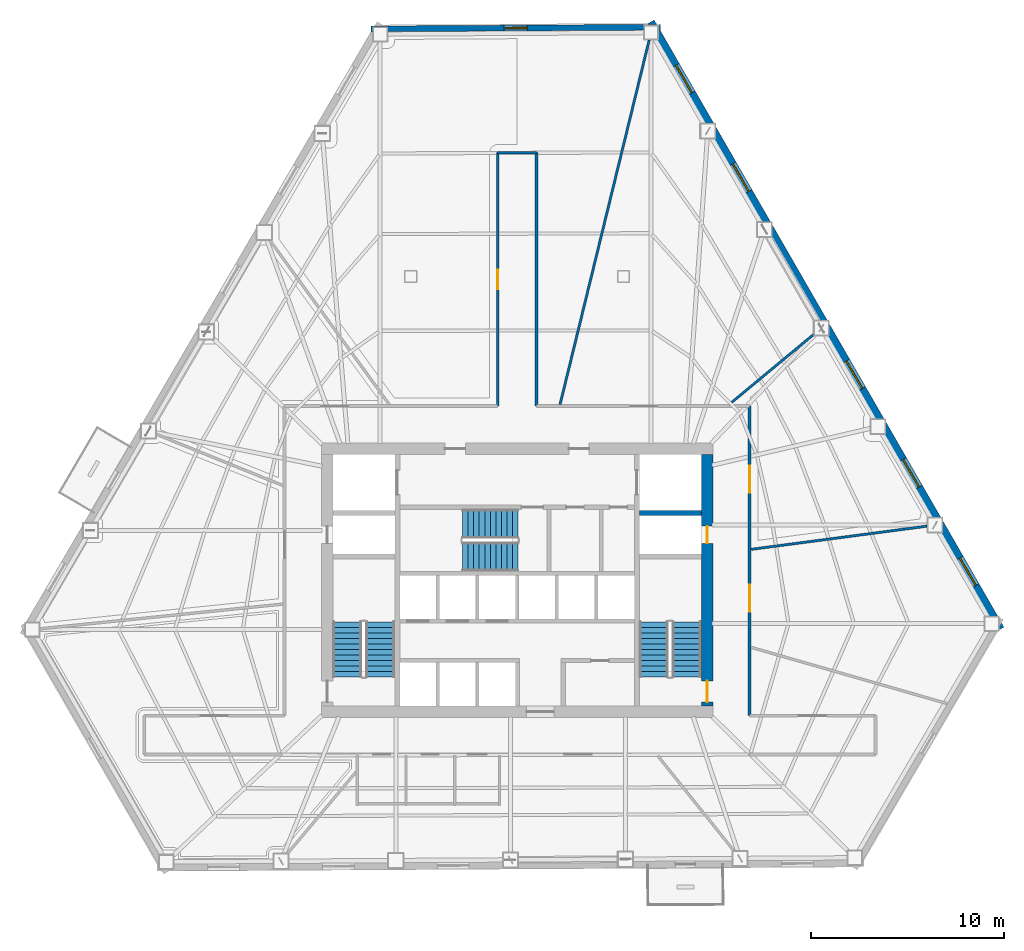
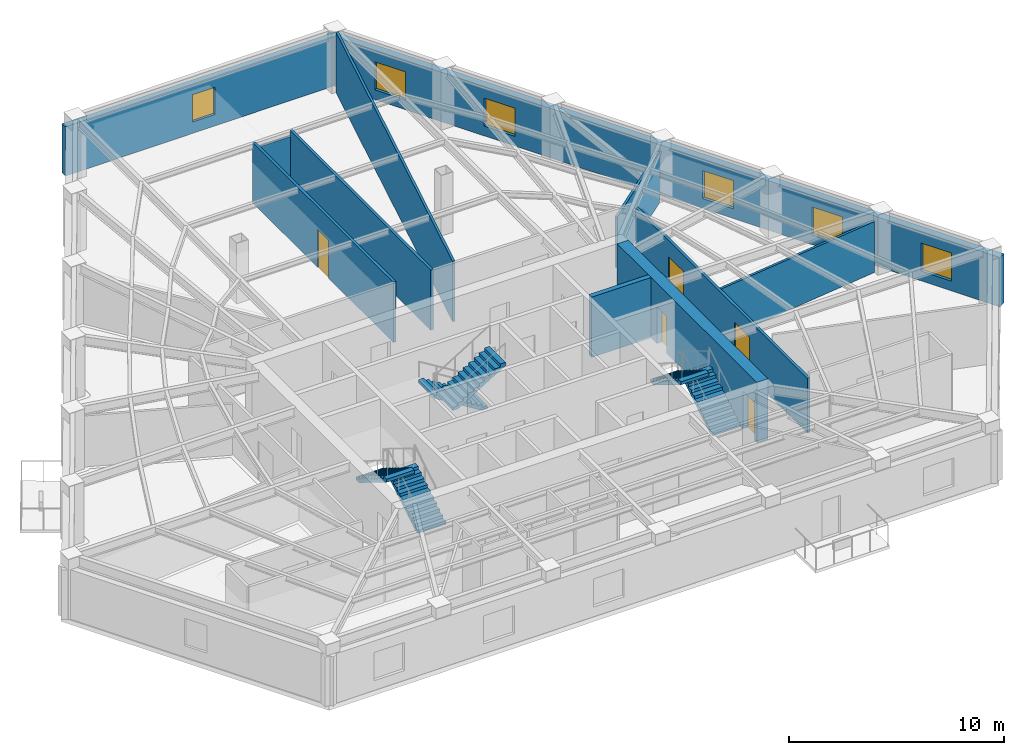
# One storey, part 10 of 14: 11 walls, 6 stair flights, 6 windows, 5 doors, 11 openings, 3 elements without a shape of their own.
"""IFC4 building model written with IfcOpenShell, lengths in metres."""

from ifc_helpers import new_model, si_unit, direction, frame, frame_2d, origin, place, context, subcontext, project, spatial, polyline, rectangle, outline, extrude, material, layer, layer_set, type_object, element, fill, aggregate, save


model = new_model("IFC4")

# Units and contexts
model_context = context("Model", 3, precision=1e-05, world=origin(), true_north=direction((0.0, 1.0)))
body_context = subcontext(model_context, "Body", "Model", "MODEL_VIEW")
ifc_project = project(units=[si_unit("LENGTHUNIT", "METRE"), si_unit("AREAUNIT", "SQUARE_METRE"), si_unit("VOLUMEUNIT", "CUBIC_METRE"), si_unit("PLANEANGLEUNIT", "RADIAN"), si_unit("MASSUNIT", "GRAM", prefix="KILO")], contexts=[model_context])

# Site, building, storey
site_placement = place(None, origin())
site = spatial("IfcSite", under=ifc_project, at=site_placement, CompositionType="ELEMENT")
building_placement = place(site_placement, origin())
building = spatial("IfcBuilding", under=site, at=building_placement, Name="Kavelnor Concourse Tower", CompositionType="ELEMENT")
storey_placement = place(building_placement, frame((0.0, 0.0, 71.449951171875)))
storey = spatial("IfcBuildingStorey", under=building, at=storey_placement, Name="L18", CompositionType="ELEMENT", Elevation=71.449951171875)

# Wall, openings, doors
ifc_material_1 = material(Name="Concrete C60/75", Category="concrete")
ifc_layer_1 = layer(ifc_material_1, 0.60009765625, Name="Concrete C60/75")
ifc_layer_set_1 = layer_set([ifc_layer_1], Name="Concrete C60/75")
wall_type_1 = type_object("IfcWallType", Name="WL-CORE-Z1-600", PredefinedType="SOLIDWALL", material=ifc_layer_set_1)
wall_1_placement = place(storey_placement, frame((47.820068359375, 9.60009765625, 0.0), z_axis=(0.0, 0.0, 1.0), x_axis=(0.0, 1.0, 0.0)))
wall_1 = element("IfcWall", 1, at=wall_1_placement, inside=storey, type_object=wall_type_1, Name="L18 Central Core East Shear Wall", PredefinedType="SOLIDWALL", context=body_context, shape_type="SweptSolid", body=[
    extrude(rectangle(XDim=13.0, YDim=0.60009765625, at=frame_2d((6.5, 0.0))), origin(), (0.0, 0.0, 1.0), 3.429931640625),
])
opening_1_placement = place(wall_1_placement, frame((0.199951171875, 0.0, 0.0)))
opening_1 = element("IfcOpeningElement", 2, at=opening_1_placement, cuts=wall_1, Name="Opening FD-110", PredefinedType="OPENING", context=body_context, shape_type="SweptSolid", body=[
    extrude(rectangle(XDim=1.10009765625, YDim=2.14990234375, at=frame_2d((0.550048828125, 1.074951171875))), frame((0.0, 0.31005859375, 0.0), z_axis=(0.0, -1.0, 0.0), x_axis=(1.0, 0.0, 0.0)), (0.0, 0.0, 1.0), 0.6201171875),
])
opening_2_placement = place(wall_1_placement, frame((8.39990234375, 0.0, 0.0)))
opening_2 = element("IfcOpeningElement", 3, at=opening_2_placement, cuts=wall_1, Name="Opening FD-090", PredefinedType="OPENING", context=body_context, shape_type="SweptSolid", body=[
    extrude(rectangle(XDim=0.89990234375, YDim=2.10009765625, at=frame_2d((0.449951171875, 1.050048828125))), frame((0.0, 0.31005859375, 0.0), z_axis=(0.0, -1.0, 0.0), x_axis=(1.0, 0.0, 0.0)), (0.0, 0.0, 1.0), 0.6201171875),
])
ifc_material_2 = material(Name="Steel Grade 350", Category="steel")
door_type_1 = type_object("IfcDoorType", Name="DR-RISER-FIRE-900", OperationType="NOTDEFINED", PredefinedType="DOOR", material=ifc_material_2)
door_1_placement = place(opening_2_placement, origin())
door_1 = element("IfcDoor", 4, at=door_1_placement, inside=storey, type_object=door_type_1, Name="L18 East Riser Access Door", OperationType="SINGLE_SWING_LEFT", OverallHeight=2.10009765625, OverallWidth=0.89990234375, PredefinedType="DOOR", context=body_context, shape_type="SweptSolid", body=[
    extrude(rectangle(XDim=0.89990234375, YDim=2.10009765625, at=frame_2d((0.449951171875, 1.050048828125))), frame((0.0, 0.02490234375, 0.0), z_axis=(0.0, -1.0, 0.0), x_axis=(1.0, 0.0, 0.0)), (0.0, 0.0, 1.0), 0.050048828125),
])
fill(opening_2, door_1)
door_type_2 = type_object("IfcDoorType", Name="DR-STAIR-FIRE-1100", OperationType="NOTDEFINED", PredefinedType="DOOR", material=ifc_material_2)
door_2_placement = place(opening_1_placement, origin())
door_2 = element("IfcDoor", 5, at=door_2_placement, inside=storey, type_object=door_type_2, Name="L18 Stair ST2 Fire Door", OperationType="SINGLE_SWING_RIGHT", OverallHeight=2.14990234375, OverallWidth=1.10009765625, PredefinedType="DOOR", context=body_context, shape_type="SweptSolid", body=[
    extrude(rectangle(XDim=1.10009765625, YDim=2.14990234375, at=frame_2d((0.550048828125, 1.074951171875))), frame((0.0, 0.02490234375, 0.0), z_axis=(0.0, -1.0, 0.0), x_axis=(1.0, 0.0, 0.0)), (0.0, 0.0, 1.0), 0.050048828125),
])
fill(opening_1, door_2)

# Wall, opening, window
ifc_material_3 = material(Name="Buff ironspot clay face brick masonry", Category="masonry")
ifc_layer_2 = layer(ifc_material_3, 0.300048828125, Name="Buff ironspot clay face brick masonry")
ifc_layer_set_2 = layer_set([ifc_layer_2], Name="Buff ironspot clay face brick masonry")
wall_type_2 = type_object("IfcWallType", Name="WL-EXT-BUFF-BRICK-FOLD-300", PredefinedType="STANDARD", material=ifc_layer_set_2)
wall_2_placement = place(storey_placement, frame((30.451416015625, 44.5947265625, 0.0), z_axis=(0.0, 0.0, 1.0), x_axis=(0.999982137203, 0.005977062405, 0.0)))
wall_2 = element("IfcWall", 6, at=wall_2_placement, inside=storey, type_object=wall_type_2, Name="L18 Exterior Brick Facade Wall E0", PredefinedType="STANDARD", context=body_context, shape_type="SweptSolid", body=[
    extrude(rectangle(XDim=14.94970703125, YDim=0.300048828125, at=frame_2d((7.474853515625, 0.0))), origin(), (0.0, 0.0, 1.0), 2.81005859375),
])
opening_3_placement = place(wall_2_placement, frame((6.875, 0.0, 0.64990234375)))
opening_3 = element("IfcOpeningElement", 7, at=opening_3_placement, cuts=wall_2, Name="Opening W-05", PredefinedType="OPENING", context=body_context, shape_type="SweptSolid", body=[
    extrude(rectangle(XDim=1.199951171875, YDim=1.550048828125, at=frame_2d((0.60009765625, 0.77490234375))), frame((0.0, 0.16015625, 0.0), z_axis=(0.0, -1.0, 0.0), x_axis=(1.0, 0.0, 0.0)), (0.0, 0.0, 1.0), 0.320068359375),
])
ifc_material_4 = material(Name="Double low-E argon insulated glazing", Category="glass")
window_type_1 = type_object("IfcWindowType", Name="WIN-FOLD-1200", PartitioningType="SINGLE_PANEL", PredefinedType="WINDOW", material=ifc_material_4)
window_1_placement = place(opening_3_placement, origin())
window_1 = element("IfcWindow", 8, at=window_1_placement, inside=storey, type_object=window_type_1, Name="L18 Chamfer-Fold Facet Window C0", OverallHeight=1.550048828125, OverallWidth=1.199951171875, PartitioningType="SINGLE_PANEL", PredefinedType="WINDOW", context=body_context, shape_type="SweptSolid", body=[
    extrude(rectangle(XDim=1.199951171875, YDim=1.550048828125, at=frame_2d((0.60009765625, 0.77490234375))), frame((0.0, 0.030029296875, 0.0), z_axis=(0.0, -1.0, 0.0), x_axis=(1.0, 0.0, 0.0)), (0.0, 0.0, 1.0), 0.06005859375),
])
fill(opening_3, window_1)

# Wall, openings, windows
ifc_material_5 = material(Name="Red-ochre clay face brick masonry", Category="masonry")
ifc_layer_3 = layer(ifc_material_5, 0.3798828125, Name="Red-ochre clay face brick masonry")
ifc_layer_set_3 = layer_set([ifc_layer_3], Name="Red-ochre clay face brick masonry")
wall_type_3 = type_object("IfcWallType", Name="WL-EXT-RED-BRICK-PIER-380", PredefinedType="STANDARD", material=ifc_layer_set_3)
wall_3_placement = place(storey_placement, frame((44.91796875, 44.961181640625, 0.0), z_axis=(0.0, 0.0, 1.0), x_axis=(0.499266462474, -0.866448497863, 0.0)))
wall_3 = element("IfcWall", 9, at=wall_3_placement, inside=storey, type_object=wall_type_3, Name="L18 Exterior Brick Facade Wall E5", PredefinedType="STANDARD", context=body_context, shape_type="SweptSolid", body=[
    extrude(rectangle(XDim=36.220703125, YDim=0.3798828125, at=frame_2d((18.1103515625, 0.0))), origin(), (0.0, 0.0, 1.0), 2.81005859375),
])
opening_4_placement = place(wall_3_placement, frame((31.978515625, 0.0, 0.550048828125)))
opening_4 = element("IfcOpeningElement", 10, at=opening_4_placement, cuts=wall_3, Name="Opening W-01", PredefinedType="OPENING", context=body_context, shape_type="SweptSolid", body=[
    extrude(rectangle(XDim=1.64990234375, YDim=1.60009765625, at=frame_2d((0.824951171875, 0.800048828125))), frame((0.0, 0.199951171875, 0.0), z_axis=(0.0, -1.0, 0.0), x_axis=(1.0, 0.0, 0.0)), (0.0, 0.0, 1.0), 0.39990234375),
])
opening_5_placement = place(wall_3_placement, frame((26.1015625, 0.0, 0.550048828125)))
opening_5 = element("IfcOpeningElement", 11, at=opening_5_placement, cuts=wall_3, Name="Opening W-01", PredefinedType="OPENING", context=body_context, shape_type="SweptSolid", body=[
    extrude(rectangle(XDim=1.64990234375, YDim=1.60009765625, at=frame_2d((0.824951171875, 0.800048828125))), frame((0.0, 0.199951171875, 0.0), z_axis=(0.0, -1.0, 0.0), x_axis=(1.0, 0.0, 0.0)), (0.0, 0.0, 1.0), 0.39990234375),
])
opening_6_placement = place(wall_3_placement, frame((20.224365234375, 0.0, 0.550048828125)))
opening_6 = element("IfcOpeningElement", 12, at=opening_6_placement, cuts=wall_3, Name="Opening W-01", PredefinedType="OPENING", context=body_context, shape_type="SweptSolid", body=[
    extrude(rectangle(XDim=1.64990234375, YDim=1.60009765625, at=frame_2d((0.824951171875, 0.800048828125))), frame((0.0, 0.199951171875, 0.0), z_axis=(0.0, -1.0, 0.0), x_axis=(1.0, 0.0, 0.0)), (0.0, 0.0, 1.0), 0.39990234375),
])
opening_7_placement = place(wall_3_placement, frame((8.47021484375, 0.0, 0.550048828125)))
opening_7 = element("IfcOpeningElement", 13, at=opening_7_placement, cuts=wall_3, Name="Opening W-01", PredefinedType="OPENING", context=body_context, shape_type="SweptSolid", body=[
    extrude(rectangle(XDim=1.64990234375, YDim=1.60009765625, at=frame_2d((0.824951171875, 0.800048828125))), frame((0.0, 0.199951171875, 0.0), z_axis=(0.0, -1.0, 0.0), x_axis=(1.0, 0.0, 0.0)), (0.0, 0.0, 1.0), 0.39990234375),
])
opening_8_placement = place(wall_3_placement, frame((2.593017578125, 0.0, 0.550048828125)))
opening_8 = element("IfcOpeningElement", 14, at=opening_8_placement, cuts=wall_3, Name="Opening W-01", PredefinedType="OPENING", context=body_context, shape_type="SweptSolid", body=[
    extrude(rectangle(XDim=1.64990234375, YDim=1.60009765625, at=frame_2d((0.824951171875, 0.800048828125))), frame((0.0, 0.199951171875, 0.0), z_axis=(0.0, -1.0, 0.0), x_axis=(1.0, 0.0, 0.0)), (0.0, 0.0, 1.0), 0.39990234375),
])
window_type_2 = type_object("IfcWindowType", Name="WIN-PIER-Z1-1800", PartitioningType="SINGLE_PANEL", PredefinedType="WINDOW", material=ifc_material_4)
window_2_placement = place(opening_4_placement, origin())
window_2 = element("IfcWindow", 15, at=window_2_placement, inside=storey, type_object=window_type_2, Name="L18 Deep-Set Brick Pier Window F2-B0", OverallHeight=1.60009765625, OverallWidth=1.64990234375, PartitioningType="SINGLE_PANEL", PredefinedType="WINDOW", context=body_context, shape_type="SweptSolid", body=[
    extrude(rectangle(XDim=1.64990234375, YDim=1.60009765625, at=frame_2d((0.824951171875, 0.800048828125))), frame((0.0, 0.030029296875, 0.0), z_axis=(0.0, -1.0, 0.0), x_axis=(1.0, 0.0, 0.0)), (0.0, 0.0, 1.0), 0.06005859375),
])
fill(opening_4, window_2)
window_3_placement = place(opening_5_placement, origin())
window_3 = element("IfcWindow", 16, at=window_3_placement, inside=storey, type_object=window_type_2, Name="L18 Deep-Set Brick Pier Window F2-B1", OverallHeight=1.60009765625, OverallWidth=1.64990234375, PartitioningType="SINGLE_PANEL", PredefinedType="WINDOW", context=body_context, shape_type="SweptSolid", body=[
    extrude(rectangle(XDim=1.64990234375, YDim=1.60009765625, at=frame_2d((0.824951171875, 0.800048828125))), frame((0.0, 0.030029296875, 0.0), z_axis=(0.0, -1.0, 0.0), x_axis=(1.0, 0.0, 0.0)), (0.0, 0.0, 1.0), 0.06005859375),
])
fill(opening_5, window_3)
window_4_placement = place(opening_6_placement, origin())
window_4 = element("IfcWindow", 17, at=window_4_placement, inside=storey, type_object=window_type_2, Name="L18 Deep-Set Brick Pier Window F2-B2", OverallHeight=1.60009765625, OverallWidth=1.64990234375, PartitioningType="SINGLE_PANEL", PredefinedType="WINDOW", context=body_context, shape_type="SweptSolid", body=[
    extrude(rectangle(XDim=1.64990234375, YDim=1.60009765625, at=frame_2d((0.824951171875, 0.800048828125))), frame((0.0, 0.030029296875, 0.0), z_axis=(0.0, -1.0, 0.0), x_axis=(1.0, 0.0, 0.0)), (0.0, 0.0, 1.0), 0.06005859375),
])
fill(opening_6, window_4)
window_5_placement = place(opening_7_placement, origin())
window_5 = element("IfcWindow", 18, at=window_5_placement, inside=storey, type_object=window_type_2, Name="L18 Deep-Set Brick Pier Window F2-B4", OverallHeight=1.60009765625, OverallWidth=1.64990234375, PartitioningType="SINGLE_PANEL", PredefinedType="WINDOW", context=body_context, shape_type="SweptSolid", body=[
    extrude(rectangle(XDim=1.64990234375, YDim=1.60009765625, at=frame_2d((0.824951171875, 0.800048828125))), frame((0.0, 0.030029296875, 0.0), z_axis=(0.0, -1.0, 0.0), x_axis=(1.0, 0.0, 0.0)), (0.0, 0.0, 1.0), 0.06005859375),
])
fill(opening_7, window_5)
window_6_placement = place(opening_8_placement, origin())
window_6 = element("IfcWindow", 19, at=window_6_placement, inside=storey, type_object=window_type_2, Name="L18 Deep-Set Brick Pier Window F2-B5", OverallHeight=1.60009765625, OverallWidth=1.64990234375, PartitioningType="SINGLE_PANEL", PredefinedType="WINDOW", context=body_context, shape_type="SweptSolid", body=[
    extrude(rectangle(XDim=1.64990234375, YDim=1.60009765625, at=frame_2d((0.824951171875, 0.800048828125))), frame((0.0, 0.030029296875, 0.0), z_axis=(0.0, -1.0, 0.0), x_axis=(1.0, 0.0, 0.0)), (0.0, 0.0, 1.0), 0.06005859375),
])
fill(opening_8, window_6)

# Wall, opening, door
ifc_material_6 = material(Name="Gypsum plasterboard on light-gauge steel studs", Category="steel")
ifc_layer_4 = layer(ifc_material_6, 0.14501953125, Name="Gypsum plasterboard on light-gauge steel studs")
ifc_layer_set_4 = layer_set([ifc_layer_4], Name="Gypsum plasterboard on light-gauge steel studs")
wall_type_4 = type_object("IfcWallType", Name="WL-INT-CORR-145", PredefinedType="PARTITIONING", material=ifc_layer_set_4)
wall_4_placement = place(storey_placement, frame((37.0, 25.10009765625, 0.0), z_axis=(0.0, 0.0, 1.0), x_axis=(0.0, 1.0, 0.0)))
wall_4 = element("IfcWall", 20, at=wall_4_placement, inside=storey, type_object=wall_type_4, Name="L18 Corridor Wall WL-L18-CR-04", PredefinedType="PARTITIONING", context=body_context, shape_type="SweptSolid", body=[
    extrude(rectangle(XDim=13.099853515625, YDim=0.14501953125, at=frame_2d((6.5498046875, 0.0))), origin(), (0.0, 0.0, 1.0), 3.429931640625),
])
opening_9_placement = place(wall_4_placement, frame((6.0400390625, 0.0, 0.0)))
opening_9 = element("IfcOpeningElement", 21, at=opening_9_placement, cuts=wall_4, Name="Opening MD-102", PredefinedType="OPENING", context=body_context, shape_type="SweptSolid", body=[
    extrude(rectangle(XDim=1.02001953125, YDim=2.14990234375, at=frame_2d((0.510009765625, 1.074951171875))), frame((0.0, 0.08251953125, 0.0), z_axis=(0.0, -1.0, 0.0), x_axis=(1.0, 0.0, 0.0)), (0.0, 0.0, 1.0), 0.1650390625),
])
ifc_material_7 = material(Name="Acoustic glazed timber frame", Category="wood")
door_type_3 = type_object("IfcDoorType", Name="DR-MEETING-1020", OperationType="NOTDEFINED", PredefinedType="DOOR", material=ifc_material_7)
door_3_placement = place(opening_9_placement, origin())
door_3 = element("IfcDoor", 22, at=door_3_placement, inside=storey, type_object=door_type_3, Name="L18 Client Boardroom 03 Door", OperationType="SINGLE_SWING_RIGHT", OverallHeight=2.14990234375, OverallWidth=1.02001953125, PredefinedType="DOOR", context=body_context, shape_type="SweptSolid", body=[
    extrude(rectangle(XDim=1.02001953125, YDim=2.14990234375, at=frame_2d((0.510009765625, 1.074951171875))), frame((0.0, 0.02490234375, 0.0), z_axis=(0.0, -1.0, 0.0), x_axis=(1.0, 0.0, 0.0)), (0.0, 0.0, 1.0), 0.050048828125),
])
fill(opening_9, door_3)

# Walls
wall_5_placement = place(storey_placement, frame((37.0, 38.199951171875, 0.0), z_axis=(0.0, 0.0, 1.0), x_axis=(1.0, 0.0, 0.0)))
element("IfcWall", 23, at=wall_5_placement, inside=storey, type_object=wall_type_4, Name="L18 Corridor Wall WL-L18-CR-05", PredefinedType="PARTITIONING", context=body_context, shape_type="SweptSolid", body=[
    extrude(rectangle(XDim=2.0, YDim=0.14501953125, at=frame_2d((1.0, 0.0))), origin(), (0.0, 0.0, 1.0), 3.1181640625),
])
wall_6_placement = place(storey_placement, frame((39.0, 38.199951171875, 0.0), z_axis=(0.0, 0.0, 1.0), x_axis=(0.0, -1.0, 0.0)))
element("IfcWall", 24, at=wall_6_placement, inside=storey, type_object=wall_type_4, Name="L18 Corridor Wall WL-L18-CR-06", PredefinedType="PARTITIONING", context=body_context, shape_type="SweptSolid", body=[
    extrude(rectangle(XDim=13.099853515625, YDim=0.14501953125, at=frame_2d((6.5498046875, 0.0))), origin(), (0.0, 0.0, 1.0), 3.429931640625),
])

# Wall, openings, doors
wall_7_placement = place(storey_placement, frame((50.02001953125, 25.10009765625, 0.0), z_axis=(0.0, 0.0, 1.0), x_axis=(0.0, -1.0, 0.0)))
wall_7 = element("IfcWall", 25, at=wall_7_placement, inside=storey, type_object=wall_type_4, Name="L18 Corridor Wall WL-L18-CR-08", PredefinedType="PARTITIONING", context=body_context, shape_type="SweptSolid", body=[
    extrude(rectangle(XDim=16.0, YDim=0.14501953125, at=frame_2d((8.0, 0.0))), origin(), (0.0, 0.0, 1.0), 3.1181640625),
])
opening_10_placement = place(wall_7_placement, frame((3.086669921875, 0.0, 0.0)))
opening_10 = element("IfcOpeningElement", 26, at=opening_10_placement, cuts=wall_7, Name="Opening SD-140", PredefinedType="OPENING", context=body_context, shape_type="SweptSolid", body=[
    extrude(rectangle(XDim=1.39990234375, YDim=2.199951171875, at=frame_2d((0.699951171875, 1.10009765625))), frame((0.0, 0.08251953125, 0.0), z_axis=(0.0, -1.0, 0.0), x_axis=(1.0, 0.0, 0.0)), (0.0, 0.0, 1.0), 0.1650390625),
])
opening_11_placement = place(wall_7_placement, frame((9.235107421875, 0.0, 0.0)))
opening_11 = element("IfcOpeningElement", 27, at=opening_11_placement, cuts=wall_7, Name="Opening SD-140", PredefinedType="OPENING", context=body_context, shape_type="SweptSolid", body=[
    extrude(rectangle(XDim=1.39990234375, YDim=2.199951171875, at=frame_2d((0.699951171875, 1.10009765625))), frame((0.0, 0.08251953125, 0.0), z_axis=(0.0, -1.0, 0.0), x_axis=(1.0, 0.0, 0.0)), (0.0, 0.0, 1.0), 0.1650390625),
])
ifc_material_8 = material(Name="Solid-core hardwood timber", Category="wood")
door_type_4 = type_object("IfcDoorType", Name="DR-SUITE-ENTRY-1400", OperationType="NOTDEFINED", PredefinedType="DOOR", material=ifc_material_8)
door_4_placement = place(opening_10_placement, origin())
door_4 = element("IfcDoor", 28, at=door_4_placement, inside=storey, type_object=door_type_4, Name="L18 Technical Reference Library 01 Door", OperationType="SINGLE_SWING_RIGHT", OverallHeight=2.199951171875, OverallWidth=1.39990234375, PredefinedType="DOOR", context=body_context, shape_type="SweptSolid", body=[
    extrude(rectangle(XDim=1.39990234375, YDim=2.199951171875, at=frame_2d((0.699951171875, 1.10009765625))), frame((0.0, 0.02490234375, 0.0), z_axis=(0.0, -1.0, 0.0), x_axis=(1.0, 0.0, 0.0)), (0.0, 0.0, 1.0), 0.050048828125),
])
fill(opening_10, door_4)
door_5_placement = place(opening_11_placement, origin())
door_5 = element("IfcDoor", 29, at=door_5_placement, inside=storey, type_object=door_type_4, Name="L18 Client Concierge 09 Door", OperationType="SINGLE_SWING_RIGHT", OverallHeight=2.199951171875, OverallWidth=1.39990234375, PredefinedType="DOOR", context=body_context, shape_type="SweptSolid", body=[
    extrude(rectangle(XDim=1.39990234375, YDim=2.199951171875, at=frame_2d((0.699951171875, 1.10009765625))), frame((0.0, 0.02490234375, 0.0), z_axis=(0.0, -1.0, 0.0), x_axis=(1.0, 0.0, 0.0)), (0.0, 0.0, 1.0), 0.050048828125),
])
fill(opening_11, door_5)

# Walls
ifc_layer_5 = layer(ifc_material_6, 0.125, Name="Gypsum plasterboard on light-gauge steel studs")
ifc_layer_set_5 = layer_set([ifc_layer_5], Name="Gypsum plasterboard on light-gauge steel studs")
wall_type_5 = type_object("IfcWallType", Name="WL-INT-SUITE-125", PredefinedType="PARTITIONING", material=ifc_layer_set_5)
wall_8_placement = place(storey_placement, frame((50.1005859375, 17.697021484375, 0.0), z_axis=(0.0, 0.0, 1.0), x_axis=(0.991405445071, 0.130825240239, 0.0)))
element("IfcWall", 30, at=wall_8_placement, inside=storey, type_object=wall_type_5, Name="L18 Radial Suite Partition 01", PredefinedType="PARTITIONING", context=body_context, shape_type="SweptSolid", body=[
    extrude(rectangle(XDim=9.164794921875, YDim=0.125, at=frame_2d((4.58251953125, 0.0))), origin(), (0.0, 0.0, 1.0), 2.89697265625),
])
wall_9_placement = place(storey_placement, frame((48.955810546875, 25.180419921875, 0.0), z_axis=(0.0, 0.0, 1.0), x_axis=(0.769913890062, 0.638147790006, 0.0)))
element("IfcWall", 31, at=wall_9_placement, inside=storey, type_object=wall_type_5, Name="L18 Radial Suite Partition 02", PredefinedType="PARTITIONING", context=body_context, shape_type="SweptSolid", body=[
    extrude(rectangle(XDim=5.666015625, YDim=0.125, at=frame_2d((2.8330078125, 0.0))), origin(), (0.0, 0.0, 1.0), 2.89697265625),
])
wall_10_placement = place(storey_placement, frame((40.220703125, 25.180419921875, 0.0), z_axis=(0.0, 0.0, 1.0), x_axis=(0.237533584256, 0.971379326705, 0.0)))
element("IfcWall", 32, at=wall_10_placement, inside=storey, type_object=wall_type_5, Name="L18 Radial Suite Partition 03", PredefinedType="PARTITIONING", context=body_context, shape_type="SweptSolid", body=[
    extrude(rectangle(XDim=19.39794921875, YDim=0.125, at=frame_2d((9.698974609375, 0.0))), origin(), (0.0, 0.0, 1.0), 3.429931640625),
])
ifc_material_9 = material(Name="Concrete C50/60", Category="concrete")
ifc_layer_6 = layer(ifc_material_9, 0.260009765625, Name="Concrete C50/60")
ifc_layer_set_6 = layer_set([ifc_layer_6], Name="Concrete C50/60")
wall_type_6 = type_object("IfcWallType", Name="WL-SHAFT-260", PredefinedType="SHEAR", material=ifc_layer_set_6)
wall_11_placement = place(storey_placement, frame((44.320068359375, 19.570068359375, 0.0), z_axis=(0.0, 0.0, 1.0), x_axis=(1.0, 0.0, 0.0)))
element("IfcWall", 33, at=wall_11_placement, inside=storey, type_object=wall_type_6, Name="L18 Emergency Lift FL2 South Shaft Wall", PredefinedType="SHEAR", context=body_context, shape_type="SweptSolid", body=[
    extrude(rectangle(XDim=3.199951171875, YDim=0.260009765625, at=frame_2d((1.60009765625, 0.0))), origin(), (0.0, 0.0, 1.0), 3.429931640625),
])

# Stair, stair flights
ifc_material_10 = material(Name="Concrete C40/50", Category="concrete")
stair_type = type_object("IfcStairType", Name="STR-CORE-1500", PredefinedType="HALF_TURN_STAIR", material=ifc_material_10)
stair_1_placement = place(storey_placement, origin())
stair_1 = element("IfcStair", 34, at=stair_1_placement, inside=storey, type_object=stair_type, Name="L18 ST1", PredefinedType="HALF_TURN_STAIR")
stair_flight_type = type_object("IfcStairFlightType", Name="STR-FLIGHT-1500", PredefinedType="STRAIGHT", material=ifc_material_10)
stair_flight_1_placement = place(storey_placement, frame((30.929931640625, 11.10009765625, 0.0), z_axis=(0.0, 0.0, 1.0), x_axis=(0.0, 1.0, 0.0)))
stair_flight_1 = element("IfcStairFlight", 35, at=stair_flight_1_placement, type_object=stair_flight_type, Name="ST1 flight 1", NumberOfRisers=11, NumberOfTreads=10, PredefinedType="STRAIGHT", RiserHeight=0.175, TreadLength=0.285, context=body_context, shape_type="SweptSolid", body=[
    extrude(outline(polyline([(0.0, 0.0), (0.0, 0.175048828125), (0.284912109375, 0.175048828125), (0.284912109375, 0.35009765625), (0.570068359375, 0.35009765625), (0.570068359375, 0.52490234375), (0.85498046875, 0.52490234375), (0.85498046875, 0.699951171875), (1.139892578125, 0.699951171875), (1.139892578125, 0.875), (1.425048828125, 0.875), (1.425048828125, 1.050048828125), (1.7099609375, 1.050048828125), (1.7099609375, 1.22509765625), (1.9951171875, 1.22509765625), (1.9951171875, 1.39990234375), (2.280029296875, 1.39990234375), (2.280029296875, 1.574951171875), (2.56494140625, 1.574951171875), (2.56494140625, 1.75), (2.85009765625, 1.75), (2.85009765625, 1.925048828125), (2.85009765625, 1.573974609375), (0.286376953125, 0.0), (0.0, 0.0)])), frame((0.0, 0.75, 0.0), z_axis=(0.0, -1.0, 0.0), x_axis=(1.0, 0.0, 0.0)), (0.0, 0.0, 1.0), 1.5),
])
stair_flight_2_placement = place(storey_placement, frame((29.22998046875, 13.949951171875, 1.925048828125), z_axis=(0.0, 0.0, 1.0), x_axis=(0.0, -1.0, 0.0)))
stair_flight_2 = element("IfcStairFlight", 36, at=stair_flight_2_placement, type_object=stair_flight_type, Name="ST1 flight 2", NumberOfRisers=11, NumberOfTreads=10, PredefinedType="STRAIGHT", RiserHeight=0.175, TreadLength=0.285, context=body_context, shape_type="SweptSolid", body=[
    extrude(outline(polyline([(0.0, 0.0), (0.0, 0.175048828125), (0.284912109375, 0.175048828125), (0.284912109375, 0.35009765625), (0.570068359375, 0.35009765625), (0.570068359375, 0.52490234375), (0.85498046875, 0.52490234375), (0.85498046875, 0.699951171875), (1.139892578125, 0.699951171875), (1.139892578125, 0.875), (1.425048828125, 0.875), (1.425048828125, 1.050048828125), (1.7099609375, 1.050048828125), (1.7099609375, 1.22509765625), (1.9951171875, 1.22509765625), (1.9951171875, 1.39990234375), (2.280029296875, 1.39990234375), (2.280029296875, 1.574951171875), (2.56494140625, 1.574951171875), (2.56494140625, 1.75), (2.85009765625, 1.75), (2.85009765625, 1.925048828125), (2.85009765625, 1.573974609375), (0.286376953125, 0.0), (0.0, 0.0)])), frame((0.0, 0.75, 0.0), z_axis=(0.0, -1.0, 0.0), x_axis=(1.0, 0.0, 0.0)), (0.0, 0.0, 1.0), 1.5),
])
aggregate(stair_1, [stair_flight_1, stair_flight_2])

stair_2_placement = place(storey_placement, origin())
stair_2 = element("IfcStair", 37, at=stair_2_placement, inside=storey, type_object=stair_type, Name="L18 ST2", PredefinedType="HALF_TURN_STAIR")
stair_flight_3_placement = place(storey_placement, frame((46.77001953125, 11.10009765625, 0.0), z_axis=(0.0, 0.0, 1.0), x_axis=(0.0, 1.0, 0.0)))
stair_flight_3 = element("IfcStairFlight", 38, at=stair_flight_3_placement, type_object=stair_flight_type, Name="ST2 flight 1", NumberOfRisers=11, NumberOfTreads=10, PredefinedType="STRAIGHT", RiserHeight=0.175, TreadLength=0.285, context=body_context, shape_type="SweptSolid", body=[
    extrude(outline(polyline([(0.0, 0.0), (0.0, 0.175048828125), (0.284912109375, 0.175048828125), (0.284912109375, 0.35009765625), (0.570068359375, 0.35009765625), (0.570068359375, 0.52490234375), (0.85498046875, 0.52490234375), (0.85498046875, 0.699951171875), (1.139892578125, 0.699951171875), (1.139892578125, 0.875), (1.425048828125, 0.875), (1.425048828125, 1.050048828125), (1.7099609375, 1.050048828125), (1.7099609375, 1.22509765625), (1.9951171875, 1.22509765625), (1.9951171875, 1.39990234375), (2.280029296875, 1.39990234375), (2.280029296875, 1.574951171875), (2.56494140625, 1.574951171875), (2.56494140625, 1.75), (2.85009765625, 1.75), (2.85009765625, 1.925048828125), (2.85009765625, 1.573974609375), (0.286376953125, 0.0), (0.0, 0.0)])), frame((0.0, 0.75, 0.0), z_axis=(0.0, -1.0, 0.0), x_axis=(1.0, 0.0, 0.0)), (0.0, 0.0, 1.0), 1.5),
])
stair_flight_4_placement = place(storey_placement, frame((45.070068359375, 13.949951171875, 1.925048828125), z_axis=(0.0, 0.0, 1.0), x_axis=(0.0, -1.0, 0.0)))
stair_flight_4 = element("IfcStairFlight", 39, at=stair_flight_4_placement, type_object=stair_flight_type, Name="ST2 flight 2", NumberOfRisers=11, NumberOfTreads=10, PredefinedType="STRAIGHT", RiserHeight=0.175, TreadLength=0.285, context=body_context, shape_type="SweptSolid", body=[
    extrude(outline(polyline([(0.0, 0.0), (0.0, 0.175048828125), (0.284912109375, 0.175048828125), (0.284912109375, 0.35009765625), (0.570068359375, 0.35009765625), (0.570068359375, 0.52490234375), (0.85498046875, 0.52490234375), (0.85498046875, 0.699951171875), (1.139892578125, 0.699951171875), (1.139892578125, 0.875), (1.425048828125, 0.875), (1.425048828125, 1.050048828125), (1.7099609375, 1.050048828125), (1.7099609375, 1.22509765625), (1.9951171875, 1.22509765625), (1.9951171875, 1.39990234375), (2.280029296875, 1.39990234375), (2.280029296875, 1.574951171875), (2.56494140625, 1.574951171875), (2.56494140625, 1.75), (2.85009765625, 1.75), (2.85009765625, 1.925048828125), (2.85009765625, 1.573974609375), (0.286376953125, 0.0), (0.0, 0.0)])), frame((0.0, 0.75, 0.0), z_axis=(0.0, -1.0, 0.0), x_axis=(1.0, 0.0, 0.0)), (0.0, 0.0, 1.0), 1.5),
])
aggregate(stair_2, [stair_flight_3, stair_flight_4])

stair_3_placement = place(storey_placement, origin())
stair_3 = element("IfcStair", 40, at=stair_3_placement, inside=storey, type_object=stair_type, Name="L18 ST3", PredefinedType="HALF_TURN_STAIR")
stair_flight_5_placement = place(storey_placement, frame((38.0400390625, 19.010009765625, 0.0), z_axis=(0.0, 0.0, 1.0), x_axis=(-1.0, 0.0, 0.0)))
stair_flight_5 = element("IfcStairFlight", 41, at=stair_flight_5_placement, type_object=stair_flight_type, Name="ST3 flight 1", NumberOfRisers=11, NumberOfTreads=10, PredefinedType="STRAIGHT", RiserHeight=0.175, TreadLength=0.285, context=body_context, shape_type="SweptSolid", body=[
    extrude(outline(polyline([(0.0, 0.0), (0.0, 0.175048828125), (0.284912109375, 0.175048828125), (0.284912109375, 0.35009765625), (0.570068359375, 0.35009765625), (0.570068359375, 0.52490234375), (0.85498046875, 0.52490234375), (0.85498046875, 0.699951171875), (1.139892578125, 0.699951171875), (1.139892578125, 0.875), (1.425048828125, 0.875), (1.425048828125, 1.050048828125), (1.7099609375, 1.050048828125), (1.7099609375, 1.22509765625), (1.9951171875, 1.22509765625), (1.9951171875, 1.39990234375), (2.280029296875, 1.39990234375), (2.280029296875, 1.574951171875), (2.56494140625, 1.574951171875), (2.56494140625, 1.75), (2.85009765625, 1.75), (2.85009765625, 1.925048828125), (2.85009765625, 1.573974609375), (0.286376953125, 0.0), (0.0, 0.0)])), frame((0.0, 0.75, 0.0), z_axis=(0.0, -1.0, 0.0), x_axis=(1.0, 0.0, 0.0)), (0.0, 0.0, 1.0), 1.5),
])
stair_flight_6_placement = place(storey_placement, frame((35.18994140625, 17.31005859375, 1.925048828125), z_axis=(0.0, 0.0, 1.0), x_axis=(1.0, 0.0, 0.0)))
stair_flight_6 = element("IfcStairFlight", 42, at=stair_flight_6_placement, type_object=stair_flight_type, Name="ST3 flight 2", NumberOfRisers=11, NumberOfTreads=10, PredefinedType="STRAIGHT", RiserHeight=0.175, TreadLength=0.285, context=body_context, shape_type="SweptSolid", body=[
    extrude(outline(polyline([(0.0, 0.0), (0.0, 0.175048828125), (0.284912109375, 0.175048828125), (0.284912109375, 0.35009765625), (0.570068359375, 0.35009765625), (0.570068359375, 0.52490234375), (0.85498046875, 0.52490234375), (0.85498046875, 0.699951171875), (1.139892578125, 0.699951171875), (1.139892578125, 0.875), (1.425048828125, 0.875), (1.425048828125, 1.050048828125), (1.7099609375, 1.050048828125), (1.7099609375, 1.22509765625), (1.9951171875, 1.22509765625), (1.9951171875, 1.39990234375), (2.280029296875, 1.39990234375), (2.280029296875, 1.574951171875), (2.56494140625, 1.574951171875), (2.56494140625, 1.75), (2.85009765625, 1.75), (2.85009765625, 1.925048828125), (2.85009765625, 1.573974609375), (0.286376953125, 0.0), (0.0, 0.0)])), frame((0.0, 0.75, 0.0), z_axis=(0.0, -1.0, 0.0), x_axis=(1.0, 0.0, 0.0)), (0.0, 0.0, 1.0), 1.5),
])
aggregate(stair_3, [stair_flight_5, stair_flight_6])

save(model, "model.ifc")
